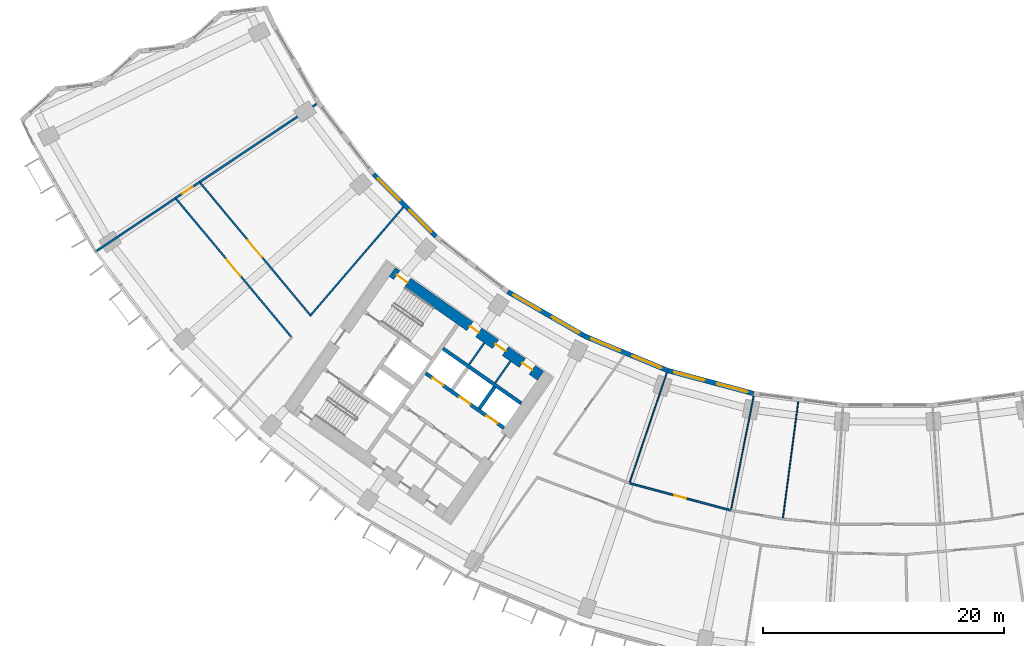
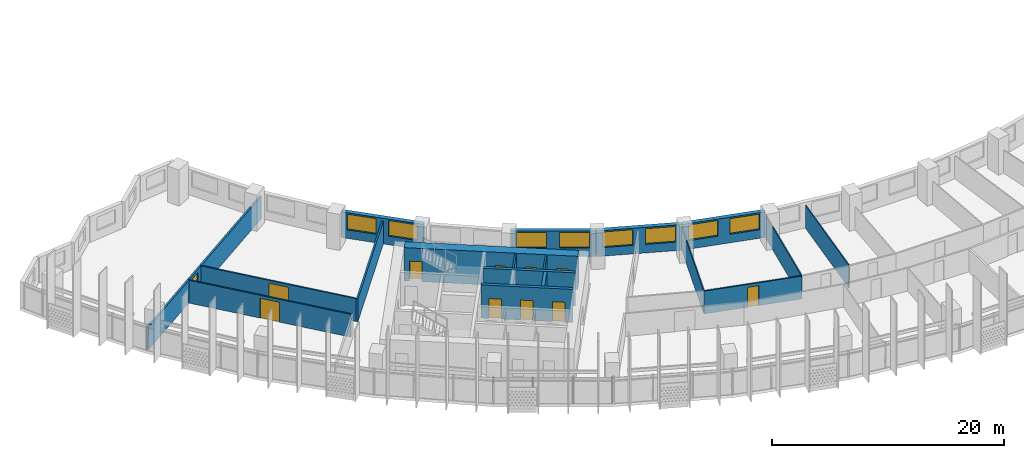
# One storey, part 4 of 30: 20 walls, 11 doors, 8 windows, 19 openings.
"""IFC4 building model written with IfcOpenShell, lengths in metres."""

import ifcopenshell
import ifcopenshell.guid

model = None  # the IFC model being written
_history = None  # IfcOwnerHistory: only IFC2X3 demands one
_inside = {}  # id of a spatial element -> (the spatial element, [elements in it])
_under = {}  # id of a project, library or spatial element -> (it, [spatial elements below it])
_declared = {}  # id of a project -> (the project, [libraries it declares])
_typed = {}  # id of a type object -> (the type object, [elements of that type])
_made_of = {}  # id of a material, layer set ... -> (it, [elements and type objects made of it])


def new_model(schema):
    """Start an empty IFC model of exactly this schema.

    Asked for "IFC4X3", IfcOpenShell would pick the latest addendum, in which some entities
    have other attributes; the version numbers below select the first issue.
    IFC2X3 requires an IfcOwnerHistory on every rooted entity: one is made here for all.
    """
    global model, _history
    if schema == "IFC4X3":
        model = ifcopenshell.file(schema_version=(4, 3, 0, 0))
    else:
        model = ifcopenshell.file(schema=schema)
    _inside.clear()
    _under.clear()
    _declared.clear()
    _typed.clear()
    _made_of.clear()
    _history = None
    if model.schema == "IFC2X3":
        org = make("IfcOrganization", Name="unknown")
        user = make(
            "IfcPersonAndOrganization",
            ThePerson=make("IfcPerson", FamilyName="unknown"),
            TheOrganization=org,
        )
        app = make(
            "IfcApplication",
            ApplicationDeveloper=org,
            Version="unknown",
            ApplicationFullName="unknown",
            ApplicationIdentifier="unknown",
        )
        _history = make(
            "IfcOwnerHistory",
            OwningUser=user,
            OwningApplication=app,
            ChangeAction="ADDED",
            CreationDate=0,
        )
    return model


def make(cls, **values):
    """One entity of the class cls with the attributes given. An attribute that is None is left unset."""
    return model.create_entity(
        cls, **{name: value for name, value in values.items() if value is not None}
    )


def rooted(cls, **values):
    """An entity with a GlobalId (a new one), such as an element, a storey or a relation."""
    return make(cls, GlobalId=ifcopenshell.guid.new(), OwnerHistory=_history, **values)


def si_unit(unit_type, name, prefix=None):
    """IfcSIUnit, for example si_unit("LENGTHUNIT", "METRE", prefix="MILLI")."""
    return make("IfcSIUnit", UnitType=unit_type, Prefix=prefix, Name=name)


def assignment(units):
    """IfcUnitAssignment: the units of a project."""
    return None if units is None else make("IfcUnitAssignment", Units=units)


def point(xyz):
    """IfcCartesianPoint."""
    return None if xyz is None else make("IfcCartesianPoint", Coordinates=xyz)


def direction(xyz):
    """IfcDirection."""
    return None if xyz is None else make("IfcDirection", DirectionRatios=xyz)


def frame(location, z_axis=None, x_axis=None):
    """IfcAxis2Placement3D, a coordinate frame: its origin and axes. An axis left out is left unset."""
    return make(
        "IfcAxis2Placement3D",
        Location=point(location),
        Axis=direction(z_axis),
        RefDirection=direction(x_axis),
    )


def frame_2d(location, x_axis=None):
    """IfcAxis2Placement2D, a coordinate frame in the plane: its origin and x axis."""
    return make(
        "IfcAxis2Placement2D", Location=point(location), RefDirection=direction(x_axis)
    )


def origin():
    """The frame at (0, 0, 0) with its axes left unset."""
    return frame((0.0, 0.0, 0.0))


def place(relative_to, where):
    """IfcLocalPlacement: puts the frame where relative to a parent placement (None: the world)."""
    return make(
        "IfcLocalPlacement", PlacementRelTo=relative_to, RelativePlacement=where
    )


def context(
    kind, dimensions, precision=None, world=None, true_north=None, identifier=None
):
    """IfcGeometricRepresentationContext, for example the 3D "Model" context."""
    return make(
        "IfcGeometricRepresentationContext",
        ContextIdentifier=identifier,
        ContextType=kind,
        CoordinateSpaceDimension=dimensions,
        Precision=precision,
        WorldCoordinateSystem=world,
        TrueNorth=true_north,
    )


def subcontext(parent, identifier, kind, view, scale=None):
    """IfcGeometricRepresentationSubContext, for example "Body" below "Model"."""
    return make(
        "IfcGeometricRepresentationSubContext",
        ContextIdentifier=identifier,
        ContextType=kind,
        ParentContext=parent,
        TargetScale=scale,
        TargetView=view,
    )


def project(units=None, contexts=None):
    """IfcProject with its units and contexts."""
    return rooted(
        "IfcProject",
        Name="project",
        RepresentationContexts=contexts,
        UnitsInContext=assignment(units),
    )


def spatial(cls, under=None, at=None, **own):
    """A site, building, storey or space (cls), placed at a placement, below another one or the project."""
    s = rooted(cls, ObjectPlacement=at, **own)
    if under is not None:
        _under.setdefault(under.id(), (under, []))[1].append(s)
    return s


def profile(cls, at=None, kind="AREA", **sizes):
    """A parametric profile (cls). Its sizes go by their IFC names, for example OverallWidth=200.0."""
    return make(cls, ProfileType=kind, Position=at, **sizes)


def rectangle(**sizes):
    """IfcRectangleProfileDef."""
    return profile("IfcRectangleProfileDef", **sizes)


def extrude(swept, where, along, depth):
    """IfcExtrudedAreaSolid: the profile swept, set in the frame where, extruded along a direction by depth."""
    return make(
        "IfcExtrudedAreaSolid",
        SweptArea=swept,
        Position=where,
        ExtrudedDirection=direction(along),
        Depth=depth,
    )


def shape(context_of_items, identifier, shape_type, items):
    """IfcShapeRepresentation: the items that make up one representation, for example the "Body"."""
    return make(
        "IfcShapeRepresentation",
        ContextOfItems=context_of_items,
        RepresentationIdentifier=identifier,
        RepresentationType=shape_type,
        Items=items,
    )


def material(Name=None, Category=None):
    """IfcMaterial."""
    return make("IfcMaterial", Name=Name, Category=Category)


def layer(
    of_material, thickness, ventilated=None, Name=None, Category=None, Priority=None
):
    """IfcMaterialLayer: one layer of a wall or slab, of a material (None: an air gap)."""
    return make(
        "IfcMaterialLayer",
        Material=of_material,
        LayerThickness=thickness,
        IsVentilated=ventilated,
        Name=Name,
        Category=Category,
        Priority=Priority,
    )


def layer_set(layers, Name=None):
    """IfcMaterialLayerSet."""
    return make("IfcMaterialLayerSet", MaterialLayers=layers, LayerSetName=Name)


def made_of(thing, what):
    """Note that an element or type object is made of a material, layer set ...; save() writes the relation."""
    if what is not None:
        _made_of.setdefault(what.id(), (what, []))[1].append(thing)
    return thing


def type_object(cls, material=None, **own):
    """A type object (cls), such as IfcWallType, which elements share."""
    return made_of(rooted(cls, **own), material)


def element(
    cls,
    number,
    at=None,
    inside=None,
    cuts=None,
    type_object=None,
    material=None,
    context=None,
    identifier="Body",
    shape_type=None,
    held_by="IfcProductDefinitionShape",
    body=None,
    shapes=None,
    **own,
):
    """One element of the class cls, such as IfcWall. Its Tag is "e" and its number.

    at: its placement. inside: the storey or other place that contains it. cuts: it is an
    opening in that element (IfcRelVoidsElement). A single representation is given by context,
    identifier, shape_type and body (its items); several are given by shapes. held_by: the class
    of the entity that holds the representations. save() writes the other relations.
    """
    e = rooted(cls, Tag="e%d" % number, ObjectPlacement=at, **own)
    if body is not None:
        shapes = [shape(context, identifier, shape_type, body)]
    if shapes is not None:
        e.Representation = make(held_by, Representations=shapes)
    if inside is not None:
        _inside.setdefault(inside.id(), (inside, []))[1].append(e)
    if cuts is not None:
        rooted(
            "IfcRelVoidsElement", RelatingBuildingElement=cuts, RelatedOpeningElement=e
        )
    if type_object is not None:
        _typed.setdefault(type_object.id(), (type_object, []))[1].append(e)
    return made_of(e, material)


def fill(opening, filler):
    """IfcRelFillsElement: the door or window that sits in an opening."""
    return rooted(
        "IfcRelFillsElement",
        RelatingOpeningElement=opening,
        RelatedBuildingElement=filler,
    )


def aggregate(whole, parts):
    """IfcRelAggregates: a whole, such as a stair, and the parts it consists of."""
    return rooted("IfcRelAggregates", RelatingObject=whole, RelatedObjects=parts)


def save(model, path):
    """Write the relations noted so far, then the file.

    IfcRelAggregates (storeys below a building ...), IfcRelContainedInSpatialStructure (elements
    in a storey), IfcRelDefinesByType, IfcRelAssociatesMaterial and IfcRelDeclares: one each for
    every whole, place, type object, material and project.
    """
    for whole, parts in _under.values():
        aggregate(whole, parts)
    for where, things in _inside.values():
        rooted(
            "IfcRelContainedInSpatialStructure",
            RelatedElements=things,
            RelatingStructure=where,
        )
    for kind, things in _typed.values():
        rooted("IfcRelDefinesByType", RelatedObjects=things, RelatingType=kind)
    for what, things in _made_of.values():
        rooted("IfcRelAssociatesMaterial", RelatedObjects=things, RelatingMaterial=what)
    for by, libraries in _declared.values():
        rooted("IfcRelDeclares", RelatingContext=by, RelatedDefinitions=libraries)
    model.write(path)


model = new_model("IFC4")

# Units and contexts
model_context = context("Model", 3, precision=1e-05, world=origin(), true_north=direction((0.0, 1.0)))
body_context = subcontext(model_context, "Body", "Model", "MODEL_VIEW")
ifc_project = project(units=[si_unit("LENGTHUNIT", "METRE"), si_unit("AREAUNIT", "SQUARE_METRE"), si_unit("VOLUMEUNIT", "CUBIC_METRE"), si_unit("PLANEANGLEUNIT", "RADIAN"), si_unit("MASSUNIT", "GRAM", prefix="KILO")], contexts=[model_context])

# Site, building, storey
site_placement = place(None, origin())
site = spatial("IfcSite", under=ifc_project, at=site_placement, CompositionType="ELEMENT")
building_placement = place(site_placement, origin())
building = spatial("IfcBuilding", under=site, at=building_placement, Name="Qamariyya Broadcast Tower", CompositionType="ELEMENT")
storey_placement = place(building_placement, frame((0.0, 0.0, 110.10009765625)))
storey = spatial("IfcBuildingStorey", under=building, at=storey_placement, Name="L24", CompositionType="ELEMENT", Elevation=110.10009765625)

# Wall, openings, doors
ifc_material_1 = material(Name="Concrete C70/85", Category="concrete")
ifc_layer_1 = layer(ifc_material_1, 0.89990234375)
ifc_layer_set_1 = layer_set([ifc_layer_1], Name="Core wall 900 mm Concrete C70/85")
wall_type_1 = type_object("IfcWallType", Name="Core wall 900 mm Concrete C70/85", PredefinedType="SHEAR", material=ifc_layer_set_1)
wall_1_placement = place(storey_placement, frame((-28.8544921875, -54.32421875, 0.0), z_axis=(0.0, 0.0, 1.0), x_axis=(-0.819145767589, 0.573585400304, 0.0)))
wall_1 = element("IfcWall", 1, at=wall_1_placement, inside=storey, type_object=wall_type_1, Name="k-W-L24-WI", PredefinedType="SHEAR", context=body_context, shape_type="SweptSolid", body=[
    extrude(rectangle(XDim=15.04541015625, YDim=0.89990234375, at=frame_2d((7.522705078125, 0.0))), origin(), (0.0, 0.0, 1.0), 3.5),
])
opening_1_placement = place(wall_1_placement, frame((0.85009765625, 0.0, 0.0)))
opening_1 = element("IfcOpeningElement", 2, at=opening_1_placement, cuts=wall_1, Name="Opening KD6-W3", PredefinedType="OPENING", context=body_context, shape_type="SweptSolid", body=[
    extrude(rectangle(XDim=1.0, YDim=2.10009765625, at=frame_2d((0.5, 1.050048828125))), frame((0.0, 0.4599609375, 0.0), z_axis=(0.0, -1.0, 0.0), x_axis=(1.0, 0.0, 0.0)), (0.0, 0.0, 1.0), 0.919921875),
])
opening_2_placement = place(wall_1_placement, frame((3.574951171875, 0.0, 0.0)))
opening_2 = element("IfcOpeningElement", 3, at=opening_2_placement, cuts=wall_1, Name="Opening KD7-W1", PredefinedType="OPENING", context=body_context, shape_type="SweptSolid", body=[
    extrude(rectangle(XDim=1.0, YDim=2.10009765625, at=frame_2d((0.5, 1.050048828125))), frame((0.0, 0.4599609375, 0.0), z_axis=(0.0, -1.0, 0.0), x_axis=(1.0, 0.0, 0.0)), (0.0, 0.0, 1.0), 0.919921875),
])
opening_3_placement = place(wall_1_placement, frame((6.27490234375, 0.0, 0.0)))
opening_3 = element("IfcOpeningElement", 4, at=opening_3_placement, cuts=wall_1, Name="Opening KD5-W1", PredefinedType="OPENING", context=body_context, shape_type="SweptSolid", body=[
    extrude(rectangle(XDim=0.89990234375, YDim=2.10009765625, at=frame_2d((0.449951171875, 1.050048828125))), frame((0.0, 0.4599609375, 0.0), z_axis=(0.0, -1.0, 0.0), x_axis=(1.0, 0.0, 0.0)), (0.0, 0.0, 1.0), 0.919921875),
])
opening_4_placement = place(wall_1_placement, frame((13.495361328125, 0.0, 0.0)))
opening_4 = element("IfcOpeningElement", 5, at=opening_4_placement, cuts=wall_1, Name="Opening KD1-W1", PredefinedType="OPENING", context=body_context, shape_type="SweptSolid", body=[
    extrude(rectangle(XDim=1.10009765625, YDim=2.10009765625, at=frame_2d((0.550048828125, 1.050048828125))), frame((0.0, 0.4599609375, 0.0), z_axis=(0.0, -1.0, 0.0), x_axis=(1.0, 0.0, 0.0)), (0.0, 0.0, 1.0), 0.919921875),
])
ifc_material_2 = material(Name="Steel fire-resisting door leaf", Category="steel")
door_type_1 = type_object("IfcDoorType", Name="Accessible toilet door KD7", OperationType="SINGLE_SWING_LEFT", PredefinedType="DOOR", material=ifc_material_2)
door_1_placement = place(opening_2_placement, origin())
door_1 = element("IfcDoor", 6, at=door_1_placement, inside=storey, type_object=door_type_1, Name="k-W-L24-WI-D9", OperationType="SINGLE_SWING_RIGHT", OverallHeight=2.10009765625, OverallWidth=1.0, PredefinedType="DOOR", context=body_context, shape_type="SweptSolid", body=[
    extrude(rectangle(XDim=1.0, YDim=2.10009765625, at=frame_2d((0.5, 1.050048828125))), frame((0.0, 0.02490234375, 0.0), z_axis=(0.0, -1.0, 0.0), x_axis=(1.0, 0.0, 0.0)), (0.0, 0.0, 1.0), 0.050048828125),
])
fill(opening_2, door_1)
door_type_2 = type_object("IfcDoorType", Name="Core room door KD6", OperationType="SINGLE_SWING_LEFT", PredefinedType="DOOR", material=ifc_material_2)
door_2_placement = place(opening_1_placement, origin())
door_2 = element("IfcDoor", 7, at=door_2_placement, inside=storey, type_object=door_type_2, Name="k-W-L24-WI-D8", OperationType="SINGLE_SWING_LEFT", OverallHeight=2.10009765625, OverallWidth=1.0, PredefinedType="DOOR", context=body_context, shape_type="SweptSolid", body=[
    extrude(rectangle(XDim=1.0, YDim=2.10009765625, at=frame_2d((0.5, 1.050048828125))), frame((0.0, 0.02490234375, 0.0), z_axis=(0.0, -1.0, 0.0), x_axis=(1.0, 0.0, 0.0)), (0.0, 0.0, 1.0), 0.050048828125),
])
fill(opening_1, door_2)
door_type_3 = type_object("IfcDoorType", Name="Stair door KD1", OperationType="SINGLE_SWING_LEFT", PredefinedType="DOOR", material=ifc_material_2)
door_3_placement = place(opening_4_placement, origin())
door_3 = element("IfcDoor", 8, at=door_3_placement, inside=storey, type_object=door_type_3, Name="k-W-L24-WI-D17", OperationType="SINGLE_SWING_RIGHT", OverallHeight=2.10009765625, OverallWidth=1.10009765625, PredefinedType="DOOR", context=body_context, shape_type="SweptSolid", body=[
    extrude(rectangle(XDim=1.10009765625, YDim=2.10009765625, at=frame_2d((0.550048828125, 1.050048828125))), frame((0.0, 0.02490234375, 0.0), z_axis=(0.0, -1.0, 0.0), x_axis=(1.0, 0.0, 0.0)), (0.0, 0.0, 1.0), 0.050048828125),
])
fill(opening_4, door_3)
door_type_4 = type_object("IfcDoorType", Name="Toilet door KD5", OperationType="SINGLE_SWING_LEFT", PredefinedType="DOOR", material=ifc_material_2)
door_4_placement = place(opening_3_placement, origin())
door_4 = element("IfcDoor", 9, at=door_4_placement, inside=storey, type_object=door_type_4, Name="k-W-L24-WI-D10", OperationType="SINGLE_SWING_LEFT", OverallHeight=2.10009765625, OverallWidth=0.89990234375, PredefinedType="DOOR", context=body_context, shape_type="SweptSolid", body=[
    extrude(rectangle(XDim=0.89990234375, YDim=2.10009765625, at=frame_2d((0.449951171875, 1.050048828125))), frame((0.0, 0.02490234375, 0.0), z_axis=(0.0, -1.0, 0.0), x_axis=(1.0, 0.0, 0.0)), (0.0, 0.0, 1.0), 0.050048828125),
])
fill(opening_3, door_4)

# Wall, opening, door
ifc_material_3 = material(Name="Gypsum board partition")
ifc_layer_2 = layer(ifc_material_3, 0.14990234375)
ifc_layer_set_2 = layer_set([ifc_layer_2], Name="Corridor partition 150 EI 60")
wall_type_2 = type_object("IfcWallType", Name="Corridor partition 150 EI 60", PredefinedType="PARTITIONING", material=ifc_layer_set_2)
wall_2_placement = place(storey_placement, frame((-49.595703125, -51.07421875, 0.0), z_axis=(0.0, 0.0, 1.0), x_axis=(-0.640459823251, 0.767991676258, 0.0)))
wall_2 = element("IfcWall", 10, at=wall_2_placement, inside=storey, type_object=wall_type_2, Name="Partition L24-004", PredefinedType="PARTITIONING", context=body_context, shape_type="SweptSolid", body=[
    extrude(rectangle(XDim=14.906982421875, YDim=0.14990234375, at=frame_2d((7.45361328125, 0.0))), origin(), (0.0, 0.0, 1.0), 2.39990234375),
])
opening_5_placement = place(wall_2_placement, frame((6.553466796875, 0.0, 0.0)))
opening_5 = element("IfcOpeningElement", 11, at=opening_5_placement, cuts=wall_2, Name="Opening L24-D17", PredefinedType="OPENING", context=body_context, shape_type="SweptSolid", body=[
    extrude(rectangle(XDim=1.800048828125, YDim=2.10009765625, at=frame_2d((0.89990234375, 1.050048828125))), frame((0.0, 0.0849609375, 0.0), z_axis=(0.0, -1.0, 0.0), x_axis=(1.0, 0.0, 0.0)), (0.0, 0.0, 1.0), 0.169921875),
])
ifc_material_4 = material(Name="Timber fire door leaf", Category="wood")
door_type_5 = type_object("IfcDoorType", Name="Double fire door 1800 x 2100 FD60", OperationType="NOTDEFINED", PredefinedType="DOOR", material=ifc_material_4)
door_5_placement = place(opening_5_placement, origin())
door_5 = element("IfcDoor", 12, at=door_5_placement, inside=storey, type_object=door_type_5, Name="Door L24-D17", OperationType="DOUBLE_DOOR_SINGLE_SWING", OverallHeight=2.10009765625, OverallWidth=1.800048828125, PredefinedType="DOOR", context=body_context, shape_type="SweptSolid", body=[
    extrude(rectangle(XDim=1.800048828125, YDim=2.10009765625, at=frame_2d((0.89990234375, 1.050048828125))), frame((0.0, 0.02490234375, 0.0), z_axis=(0.0, -1.0, 0.0), x_axis=(1.0, 0.0, 0.0)), (0.0, 0.0, 1.0), 0.050048828125),
])
fill(opening_5, door_5)

wall_3_placement = place(storey_placement, frame((-57.1474609375, -38.29248046875, 0.0), z_axis=(0.0, 0.0, 1.0), x_axis=(0.639635010917, -0.768678770885, 0.0)))
wall_3 = element("IfcWall", 13, at=wall_3_placement, inside=storey, type_object=wall_type_2, Name="Partition L24-006", PredefinedType="PARTITIONING", context=body_context, shape_type="SweptSolid", body=[
    extrude(rectangle(XDim=14.253662109375, YDim=0.14990234375, at=frame_2d((7.126953125, 0.0))), origin(), (0.0, 0.0, 1.0), 2.39990234375),
])
opening_6_placement = place(wall_3_placement, frame((6.226806640625, 0.0, 0.0)))
opening_6 = element("IfcOpeningElement", 14, at=opening_6_placement, cuts=wall_3, Name="Opening L24-D16", PredefinedType="OPENING", context=body_context, shape_type="SweptSolid", body=[
    extrude(rectangle(XDim=1.800048828125, YDim=2.10009765625, at=frame_2d((0.89990234375, 1.050048828125))), frame((0.0, 0.0849609375, 0.0), z_axis=(0.0, -1.0, 0.0), x_axis=(1.0, 0.0, 0.0)), (0.0, 0.0, 1.0), 0.169921875),
])
door_6_placement = place(opening_6_placement, origin())
door_6 = element("IfcDoor", 15, at=door_6_placement, inside=storey, type_object=door_type_5, Name="Door L24-D16", OperationType="DOUBLE_DOOR_SINGLE_SWING", OverallHeight=2.10009765625, OverallWidth=1.800048828125, PredefinedType="DOOR", context=body_context, shape_type="SweptSolid", body=[
    extrude(rectangle(XDim=1.800048828125, YDim=2.10009765625, at=frame_2d((0.89990234375, 1.050048828125))), frame((0.0, 0.02490234375, 0.0), z_axis=(0.0, -1.0, 0.0), x_axis=(1.0, 0.0, 0.0)), (0.0, 0.0, 1.0), 0.050048828125),
])
fill(opening_6, door_6)

# Wall
wall_4_placement = place(storey_placement, frame((-40.267578125, -40.310791015625, 0.0), z_axis=(0.0, 0.0, 1.0), x_axis=(-0.650981860867, -0.759093285982, 0.0)))
element("IfcWall", 16, at=wall_4_placement, inside=storey, type_object=wall_type_2, Name="Partition L24-007", PredefinedType="PARTITIONING", context=body_context, shape_type="SweptSolid", body=[
    extrude(rectangle(XDim=11.92578125, YDim=0.14990234375, at=frame_2d((5.962890625, 0.0))), origin(), (0.0, 0.0, 1.0), 2.39990234375),
])

# Wall, opening, door
wall_5_placement = place(storey_placement, frame((-21.47216796875, -63.2548828125, 0.0), z_axis=(0.0, 0.0, 1.0), x_axis=(0.965927722938, -0.258811966607, 0.0)))
wall_5 = element("IfcWall", 17, at=wall_5_placement, inside=storey, type_object=wall_type_2, Name="Partition L24-012", PredefinedType="PARTITIONING", context=body_context, shape_type="SweptSolid", body=[
    extrude(rectangle(XDim=8.73779296875, YDim=0.14990234375, at=frame_2d((4.368896484375, 0.0))), origin(), (0.0, 0.0, 1.0), 2.39990234375),
])
opening_7_placement = place(wall_5_placement, frame((3.868896484375, 0.0, 0.0)))
opening_7 = element("IfcOpeningElement", 18, at=opening_7_placement, cuts=wall_5, Name="Opening L24-D09", PredefinedType="OPENING", context=body_context, shape_type="SweptSolid", body=[
    extrude(rectangle(XDim=1.0, YDim=2.10009765625, at=frame_2d((0.5, 1.050048828125))), frame((0.0, 0.0849609375, 0.0), z_axis=(0.0, -1.0, 0.0), x_axis=(1.0, 0.0, 0.0)), (0.0, 0.0, 1.0), 0.169921875),
])
door_type_6 = type_object("IfcDoorType", Name="Fire door 1000 x 2100 FD60", OperationType="NOTDEFINED", PredefinedType="DOOR", material=ifc_material_4)
door_7_placement = place(opening_7_placement, origin())
door_7 = element("IfcDoor", 19, at=door_7_placement, inside=storey, type_object=door_type_6, Name="Door L24-D09", OperationType="SINGLE_SWING_RIGHT", OverallHeight=2.10009765625, OverallWidth=1.0, PredefinedType="DOOR", context=body_context, shape_type="SweptSolid", body=[
    extrude(rectangle(XDim=1.0, YDim=2.10009765625, at=frame_2d((0.5, 1.050048828125))), frame((0.0, 0.02490234375, 0.0), z_axis=(0.0, -1.0, 0.0), x_axis=(1.0, 0.0, 0.0)), (0.0, 0.0, 1.0), 0.050048828125),
])
fill(opening_7, door_7)

# Walls
ifc_material_5 = material(Name="Gypsum board partition on steel studs", Category="steel")
ifc_layer_3 = layer(ifc_material_5, 0.14990234375)
ifc_layer_set_3 = layer_set([ifc_layer_3], Name="Gypsum board partition 150 mm")
wall_type_3 = type_object("IfcWallType", Name="Gypsum board partition 150 mm", PredefinedType="PARTITIONING", material=ifc_layer_set_3)
for number, where, z_axis, x_axis, name in (
    (20, (-32.627197265625, -54.91748046875, 0.0), (0.0, 0.0, 1.0), (0.573507030513, 0.819200638399, 0.0), "k-W-L24-NP275"),
    (21, (-34.798095703125, -53.3974609375, 0.0), (0.0, 0.0, 1.0), (0.573633636671, 0.819111989218, 0.0), "k-W-L24-NP540"),
):
    element("IfcWall", number, at=place(storey_placement, frame(where, z_axis=z_axis, x_axis=x_axis)), inside=storey, type_object=wall_type_3, Name=name, PredefinedType="PARTITIONING", context=body_context, shape_type="SweptSolid", body=[
        extrude(rectangle(XDim=2.199951171875, YDim=0.14990234375, at=frame_2d((1.10009765625, 0.0))), origin(), (0.0, 0.0, 1.0), 3.5),
    ])

# Wall, openings, doors
ifc_material_6 = material(Name="Concrete C60/75", Category="concrete")
ifc_layer_4 = layer(ifc_material_6, 0.300048828125)
ifc_layer_set_4 = layer_set([ifc_layer_4], Name="Lift shaft wall 300 mm Concrete C60/75")
wall_type_4 = type_object("IfcWallType", Name="Lift shaft wall 300 mm Concrete C60/75", PredefinedType="SOLIDWALL", material=ifc_layer_set_4)
wall_6_placement = place(storey_placement, frame((-31.89453125, -58.66552734375, 0.0), z_axis=(0.0, 0.0, 1.0), x_axis=(-0.819166993208, 0.573555086491, 0.0)))
wall_6 = element("IfcWall", 22, at=wall_6_placement, inside=storey, type_object=wall_type_4, Name="k-W-L24-NF0", PredefinedType="SOLIDWALL", context=body_context, shape_type="SweptSolid", body=[
    extrude(rectangle(XDim=7.9501953125, YDim=0.300048828125, at=frame_2d((3.97509765625, 0.0))), origin(), (0.0, 0.0, 1.0), 3.5),
])
opening_8_placement = place(wall_6_placement, frame((0.675048828125, 0.0, 0.0)))
opening_8 = element("IfcOpeningElement", 23, at=opening_8_placement, cuts=wall_6, Name="Opening LD", PredefinedType="OPENING", context=body_context, shape_type="SweptSolid", body=[
    extrude(rectangle(XDim=1.10009765625, YDim=2.10009765625, at=frame_2d((0.550048828125, 1.050048828125))), frame((0.0, 0.159912109375, 0.0), z_axis=(0.0, -1.0, 0.0), x_axis=(1.0, 0.0, 0.0)), (0.0, 0.0, 1.0), 0.320068359375),
])
opening_9_placement = place(wall_6_placement, frame((3.425048828125, 0.0, 0.0)))
opening_9 = element("IfcOpeningElement", 24, at=opening_9_placement, cuts=wall_6, Name="Opening LD", PredefinedType="OPENING", context=body_context, shape_type="SweptSolid", body=[
    extrude(rectangle(XDim=1.10009765625, YDim=2.10009765625, at=frame_2d((0.550048828125, 1.050048828125))), frame((0.0, 0.159912109375, 0.0), z_axis=(0.0, -1.0, 0.0), x_axis=(1.0, 0.0, 0.0)), (0.0, 0.0, 1.0), 0.320068359375),
])
opening_10_placement = place(wall_6_placement, frame((6.175048828125, 0.0, 0.0)))
opening_10 = element("IfcOpeningElement", 25, at=opening_10_placement, cuts=wall_6, Name="Opening LD", PredefinedType="OPENING", context=body_context, shape_type="SweptSolid", body=[
    extrude(rectangle(XDim=1.10009765625, YDim=2.10009765625, at=frame_2d((0.550048828125, 1.050048828125))), frame((0.0, 0.159912109375, 0.0), z_axis=(0.0, -1.0, 0.0), x_axis=(1.0, 0.0, 0.0)), (0.0, 0.0, 1.0), 0.320068359375),
])
door_type_7 = type_object("IfcDoorType", Name="Lift landing door LD", OperationType="DOUBLE_DOOR_SLIDING", PredefinedType="DOOR", material=ifc_material_2)
door_8_placement = place(opening_8_placement, origin())
door_8 = element("IfcDoor", 26, at=door_8_placement, inside=storey, type_object=door_type_7, Name="k-W-L24-NF0-D2", OperationType="DOUBLE_DOOR_SLIDING", OverallHeight=2.10009765625, OverallWidth=1.10009765625, PredefinedType="DOOR", context=body_context, shape_type="SweptSolid", body=[
    extrude(rectangle(XDim=1.10009765625, YDim=2.10009765625, at=frame_2d((0.550048828125, 1.050048828125))), frame((0.0, 0.02490234375, 0.0), z_axis=(0.0, -1.0, 0.0), x_axis=(1.0, 0.0, 0.0)), (0.0, 0.0, 1.0), 0.050048828125),
])
fill(opening_8, door_8)
door_9_placement = place(opening_9_placement, origin())
door_9 = element("IfcDoor", 27, at=door_9_placement, inside=storey, type_object=door_type_7, Name="k-W-L24-NF0-D3", OperationType="DOUBLE_DOOR_SLIDING", OverallHeight=2.10009765625, OverallWidth=1.10009765625, PredefinedType="DOOR", context=body_context, shape_type="SweptSolid", body=[
    extrude(rectangle(XDim=1.10009765625, YDim=2.10009765625, at=frame_2d((0.550048828125, 1.050048828125))), frame((0.0, 0.02490234375, 0.0), z_axis=(0.0, -1.0, 0.0), x_axis=(1.0, 0.0, 0.0)), (0.0, 0.0, 1.0), 0.050048828125),
])
fill(opening_9, door_9)
door_10_placement = place(opening_10_placement, origin())
door_10 = element("IfcDoor", 28, at=door_10_placement, inside=storey, type_object=door_type_7, Name="k-W-L24-NF0-D4", OperationType="DOUBLE_DOOR_SLIDING", OverallHeight=2.10009765625, OverallWidth=1.10009765625, PredefinedType="DOOR", context=body_context, shape_type="SweptSolid", body=[
    extrude(rectangle(XDim=1.10009765625, YDim=2.10009765625, at=frame_2d((0.550048828125, 1.050048828125))), frame((0.0, 0.02490234375, 0.0), z_axis=(0.0, -1.0, 0.0), x_axis=(1.0, 0.0, 0.0)), (0.0, 0.0, 1.0), 0.050048828125),
])
fill(opening_10, door_10)

# Walls
wall_7_placement = place(storey_placement, frame((-30.460693359375, -56.61767578125, 0.0), z_axis=(0.0, 0.0, 1.0), x_axis=(-0.819142461705, 0.573590121456, 0.0)))
element("IfcWall", 29, at=wall_7_placement, inside=storey, type_object=wall_type_4, Name="k-W-L24-NB0", PredefinedType="SOLIDWALL", context=body_context, shape_type="SweptSolid", body=[
    extrude(rectangle(XDim=7.949951171875, YDim=0.300048828125, at=frame_2d((3.97509765625, 0.0))), origin(), (0.0, 0.0, 1.0), 3.5),
])
wall_8_placement = place(storey_placement, frame((-33.9384765625, -57.051513671875, 0.0), z_axis=(0.0, 0.0, 1.0), x_axis=(0.573581496053, 0.819148501424, 0.0)))
element("IfcWall", 30, at=wall_8_placement, inside=storey, type_object=wall_type_4, Name="k-W-L24-ND0", PredefinedType="SOLIDWALL", context=body_context, shape_type="SweptSolid", body=[
    extrude(rectangle(XDim=2.2001953125, YDim=0.300048828125, at=frame_2d((1.10009765625, 0.0))), origin(), (0.0, 0.0, 1.0), 3.5),
])
ifc_layer_5 = layer(ifc_material_3, 0.10009765625)
ifc_layer_set_5 = layer_set([ifc_layer_5], Name="Partition 100")
wall_type_5 = type_object("IfcWallType", Name="Partition 100", PredefinedType="PARTITIONING", material=ifc_layer_set_5)
for number, where, z_axis, x_axis, name in (
    (31, (-18.354248046875, -54.06982421875, 0.0), (0.0, 0.0, 1.0), (-0.321435668314, -0.946931418391, 0.0), "Partition L24-014"),
    (32, (-11.1396484375, -56.0029296875, 0.0), (0.0, 0.0, 1.0), (-0.195086769421, -0.980785987052, 0.0), "Partition L24-017"),
):
    element("IfcWall", number, at=place(storey_placement, frame(where, z_axis=z_axis, x_axis=x_axis)), inside=storey, type_object=wall_type_5, Name=name, PredefinedType="PARTITIONING", context=body_context, shape_type="SweptSolid", body=[
        extrude(rectangle(XDim=9.624755859375, YDim=0.10009765625, at=frame_2d((4.8125, 0.0))), origin(), (0.0, 0.0, 1.0), 2.39990234375),
    ])
wall_9_placement = place(storey_placement, frame((-7.437255859375, -56.4912109375, 0.0), z_axis=(0.0, 0.0, 1.0), x_axis=(-0.13053421433, -0.99144380521, 0.0)))
element("IfcWall", 33, at=wall_9_placement, inside=storey, type_object=wall_type_5, Name="Partition L24-020", PredefinedType="PARTITIONING", context=body_context, shape_type="SweptSolid", body=[
    extrude(rectangle(XDim=9.746337890625, YDim=0.10009765625, at=frame_2d((4.873046875, 0.0))), origin(), (0.0, 0.0, 1.0), 2.39990234375),
])
ifc_layer_6 = layer(ifc_material_3, 0.179931640625)
ifc_layer_set_6 = layer_set([ifc_layer_6], Name="Studio acoustic partition 180 EI 60")
wall_type_6 = type_object("IfcWallType", Name="Studio acoustic partition 180 EI 60", PredefinedType="PARTITIONING", material=ifc_layer_set_6)
wall_10_placement = place(storey_placement, frame((-65.769287109375, -43.945556640625, 0.0), z_axis=(0.0, 0.0, 1.0), x_axis=(0.831474555321, 0.555562835198, 0.0)))
element("IfcWall", 34, at=wall_10_placement, inside=storey, type_object=wall_type_6, Name="Partition L24-001", PredefinedType="PARTITIONING", context=body_context, shape_type="SweptSolid", body=[
    extrude(rectangle(XDim=7.89990234375, YDim=0.179931640625, at=frame_2d((3.949951171875, 0.0))), origin(), (0.0, 0.0, 1.0), 2.39990234375),
])

# Wall, opening, door
wall_11_placement = place(storey_placement, frame((-59.20068359375, -39.556640625, 0.0), z_axis=(0.0, 0.0, 1.0), x_axis=(0.831455148387, 0.555591879189, 0.0)))
wall_11 = element("IfcWall", 35, at=wall_11_placement, inside=storey, type_object=wall_type_6, Name="Partition L24-002", PredefinedType="PARTITIONING", context=body_context, shape_type="SweptSolid", body=[
    extrude(rectangle(XDim=2.400146484375, YDim=0.179931640625, at=frame_2d((1.2001953125, 0.0))), origin(), (0.0, 0.0, 1.0), 2.39990234375),
])
opening_11_placement = place(wall_11_placement, frame((0.699951171875, 0.0, 0.0)))
opening_11 = element("IfcOpeningElement", 36, at=opening_11_placement, cuts=wall_11, Name="Opening L24-D18", PredefinedType="OPENING", context=body_context, shape_type="SweptSolid", body=[
    extrude(rectangle(XDim=1.0, YDim=2.10009765625, at=frame_2d((0.5, 1.050048828125))), frame((0.0, 0.099853515625, 0.0), z_axis=(0.0, -1.0, 0.0), x_axis=(1.0, 0.0, 0.0)), (0.0, 0.0, 1.0), 0.199951171875),
])
door_11_placement = place(opening_11_placement, origin())
door_11 = element("IfcDoor", 37, at=door_11_placement, inside=storey, type_object=door_type_6, Name="Door L24-D18", OperationType="SINGLE_SWING_RIGHT", OverallHeight=2.10009765625, OverallWidth=1.0, PredefinedType="DOOR", context=body_context, shape_type="SweptSolid", body=[
    extrude(rectangle(XDim=1.0, YDim=2.10009765625, at=frame_2d((0.5, 1.050048828125))), frame((0.0, 0.02490234375, 0.0), z_axis=(0.0, -1.0, 0.0), x_axis=(1.0, 0.0, 0.0)), (0.0, 0.0, 1.0), 0.050048828125),
])
fill(opening_11, door_11)

# Wall
wall_12_placement = place(storey_placement, frame((-57.205078125, -38.22314453125, 0.0), z_axis=(0.0, 0.0, 1.0), x_axis=(0.831478424206, 0.555557044848, 0.0)))
element("IfcWall", 38, at=wall_12_placement, inside=storey, type_object=wall_type_6, Name="Partition L24-003", PredefinedType="PARTITIONING", context=body_context, shape_type="SweptSolid", body=[
    extrude(rectangle(XDim=11.699951171875, YDim=0.179931640625, at=frame_2d((5.85009765625, 0.0))), origin(), (0.0, 0.0, 1.0), 2.39990234375),
])

# Wall, openings, windows
ifc_material_7 = material(Name="Terracotta", Category="masonry")
ifc_layer_7 = layer(ifc_material_7, 0.39990234375)
ifc_layer_set_7 = layer_set([ifc_layer_7], Name="Terracotta clad wall 400")
wall_type_7 = type_object("IfcWallType", Name="Terracotta clad wall 400", PredefinedType="SOLIDWALL", material=ifc_layer_set_7)
wall_13_placement = place(storey_placement, frame((-37.552978515625, -42.744140625, 0.0), z_axis=(0.0, 0.0, 1.0), x_axis=(-0.707106781187, 0.707106781187, 0.0)))
wall_13 = element("IfcWall", 39, at=wall_13_placement, inside=storey, type_object=wall_type_7, Name="e-wl-L24-in30", PredefinedType="SOLIDWALL", context=body_context, shape_type="SweptSolid", body=[
    extrude(rectangle(XDim=7.34130859375, YDim=0.39990234375, at=frame_2d((3.670654296875, 0.0))), origin(), (0.0, 0.0, 1.0), 2.699951171875),
])
opening_12_placement = place(wall_13_placement, frame((4.224853515625, 0.0, 0.89990234375)))
opening_12 = element("IfcOpeningElement", 40, at=opening_12_placement, cuts=wall_13, Name="Opening W1", PredefinedType="OPENING", context=body_context, shape_type="SweptSolid", body=[
    extrude(rectangle(XDim=2.60009765625, YDim=1.64990234375, at=frame_2d((1.300048828125, 0.824951171875))), frame((0.0, 0.2099609375, 0.0), z_axis=(0.0, -1.0, 0.0), x_axis=(1.0, 0.0, 0.0)), (0.0, 0.0, 1.0), 0.419921875),
])
opening_13_placement = place(wall_13_placement, frame((0.5166015625, 0.0, 0.89990234375)))
opening_13 = element("IfcOpeningElement", 41, at=opening_13_placement, cuts=wall_13, Name="Opening W1", PredefinedType="OPENING", context=body_context, shape_type="SweptSolid", body=[
    extrude(rectangle(XDim=2.60009765625, YDim=1.64990234375, at=frame_2d((1.300048828125, 0.824951171875))), frame((0.0, 0.2099609375, 0.0), z_axis=(0.0, -1.0, 0.0), x_axis=(1.0, 0.0, 0.0)), (0.0, 0.0, 1.0), 0.419921875),
])
ifc_material_8 = material(Name="Clear low-e double glazed unit in aluminium frame", Category="aluminium")
window_type = type_object("IfcWindowType", Name="Ribbon window 2600 x 1650", PartitioningType="SINGLE_PANEL", PredefinedType="WINDOW", material=ifc_material_8)
window_1_placement = place(opening_12_placement, origin())
window_1 = element("IfcWindow", 42, at=window_1_placement, inside=storey, type_object=window_type, Name="e-w-L24-in03-0", OverallHeight=1.64990234375, OverallWidth=2.60009765625, PartitioningType="SINGLE_PANEL", PredefinedType="WINDOW", context=body_context, shape_type="SweptSolid", body=[
    extrude(rectangle(XDim=2.60009765625, YDim=1.64990234375, at=frame_2d((1.300048828125, 0.824951171875))), frame((0.0, 0.030029296875, 0.0), z_axis=(0.0, -1.0, 0.0), x_axis=(1.0, 0.0, 0.0)), (0.0, 0.0, 1.0), 0.06005859375),
])
fill(opening_12, window_1)
window_2_placement = place(opening_13_placement, origin())
window_2 = element("IfcWindow", 43, at=window_2_placement, inside=storey, type_object=window_type, Name="e-w-L24-in03-1", OverallHeight=1.64990234375, OverallWidth=2.60009765625, PartitioningType="SINGLE_PANEL", PredefinedType="WINDOW", context=body_context, shape_type="SweptSolid", body=[
    extrude(rectangle(XDim=2.60009765625, YDim=1.64990234375, at=frame_2d((1.300048828125, 0.824951171875))), frame((0.0, 0.030029296875, 0.0), z_axis=(0.0, -1.0, 0.0), x_axis=(1.0, 0.0, 0.0)), (0.0, 0.0, 1.0), 0.06005859375),
])
fill(opening_13, window_2)

wall_14_placement = place(storey_placement, frame((-25.21044921875, -51.007080078125, 0.0), z_axis=(0.0, 0.0, 1.0), x_axis=(-0.866030525931, 0.499991128077, 0.0)))
wall_14 = element("IfcWall", 44, at=wall_14_placement, inside=storey, type_object=wall_type_7, Name="e-wl-L24-in50", PredefinedType="SOLIDWALL", context=body_context, shape_type="SweptSolid", body=[
    extrude(rectangle(XDim=7.341552734375, YDim=0.39990234375, at=frame_2d((3.6708984375, 0.0))), origin(), (0.0, 0.0, 1.0), 2.699951171875),
])
opening_14_placement = place(wall_14_placement, frame((4.224853515625, 0.0, 0.89990234375)))
opening_14 = element("IfcOpeningElement", 45, at=opening_14_placement, cuts=wall_14, Name="Opening W1", PredefinedType="OPENING", context=body_context, shape_type="SweptSolid", body=[
    extrude(rectangle(XDim=2.60009765625, YDim=1.64990234375, at=frame_2d((1.300048828125, 0.824951171875))), frame((0.0, 0.2099609375, 0.0), z_axis=(0.0, -1.0, 0.0), x_axis=(1.0, 0.0, 0.0)), (0.0, 0.0, 1.0), 0.419921875),
])
opening_15_placement = place(wall_14_placement, frame((0.5166015625, 0.0, 0.89990234375)))
opening_15 = element("IfcOpeningElement", 46, at=opening_15_placement, cuts=wall_14, Name="Opening W1", PredefinedType="OPENING", context=body_context, shape_type="SweptSolid", body=[
    extrude(rectangle(XDim=2.60009765625, YDim=1.64990234375, at=frame_2d((1.300048828125, 0.824951171875))), frame((0.0, 0.2099609375, 0.0), z_axis=(0.0, -1.0, 0.0), x_axis=(1.0, 0.0, 0.0)), (0.0, 0.0, 1.0), 0.419921875),
])
window_3_placement = place(opening_14_placement, origin())
window_3 = element("IfcWindow", 47, at=window_3_placement, inside=storey, type_object=window_type, Name="e-w-L24-in05-0", OverallHeight=1.64990234375, OverallWidth=2.60009765625, PartitioningType="SINGLE_PANEL", PredefinedType="WINDOW", context=body_context, shape_type="SweptSolid", body=[
    extrude(rectangle(XDim=2.60009765625, YDim=1.64990234375, at=frame_2d((1.300048828125, 0.824951171875))), frame((0.0, 0.030029296875, 0.0), z_axis=(0.0, -1.0, 0.0), x_axis=(1.0, 0.0, 0.0)), (0.0, 0.0, 1.0), 0.06005859375),
])
fill(opening_14, window_3)
window_4_placement = place(opening_15_placement, origin())
window_4 = element("IfcWindow", 48, at=window_4_placement, inside=storey, type_object=window_type, Name="e-w-L24-in05-1", OverallHeight=1.64990234375, OverallWidth=2.60009765625, PartitioningType="SINGLE_PANEL", PredefinedType="WINDOW", context=body_context, shape_type="SweptSolid", body=[
    extrude(rectangle(XDim=2.60009765625, YDim=1.64990234375, at=frame_2d((1.300048828125, 0.824951171875))), frame((0.0, 0.030029296875, 0.0), z_axis=(0.0, -1.0, 0.0), x_axis=(1.0, 0.0, 0.0)), (0.0, 0.0, 1.0), 0.06005859375),
])
fill(opening_15, window_4)

wall_15_placement = place(storey_placement, frame((-18.266845703125, -53.890380859375, 0.0), z_axis=(0.0, 0.0, 1.0), x_axis=(-0.923879826967, 0.382682721486, 0.0)))
wall_15 = element("IfcWall", 49, at=wall_15_placement, inside=storey, type_object=wall_type_7, Name="e-wl-L24-in60", PredefinedType="SOLIDWALL", context=body_context, shape_type="SweptSolid", body=[
    extrude(rectangle(XDim=7.492919921875, YDim=0.39990234375, at=frame_2d((3.74658203125, 0.0))), origin(), (0.0, 0.0, 1.0), 2.699951171875),
])
opening_16_placement = place(wall_15_placement, frame((4.300537109375, 0.0, 0.89990234375)))
opening_16 = element("IfcOpeningElement", 50, at=opening_16_placement, cuts=wall_15, Name="Opening W1", PredefinedType="OPENING", context=body_context, shape_type="SweptSolid", body=[
    extrude(rectangle(XDim=2.60009765625, YDim=1.64990234375, at=frame_2d((1.300048828125, 0.824951171875))), frame((0.0, 0.2099609375, 0.0), z_axis=(0.0, -1.0, 0.0), x_axis=(1.0, 0.0, 0.0)), (0.0, 0.0, 1.0), 0.419921875),
])
opening_17_placement = place(wall_15_placement, frame((0.59228515625, 0.0, 0.89990234375)))
opening_17 = element("IfcOpeningElement", 51, at=opening_17_placement, cuts=wall_15, Name="Opening W1", PredefinedType="OPENING", context=body_context, shape_type="SweptSolid", body=[
    extrude(rectangle(XDim=2.60009765625, YDim=1.64990234375, at=frame_2d((1.300048828125, 0.824951171875))), frame((0.0, 0.2099609375, 0.0), z_axis=(0.0, -1.0, 0.0), x_axis=(1.0, 0.0, 0.0)), (0.0, 0.0, 1.0), 0.419921875),
])
window_5_placement = place(opening_16_placement, origin())
window_5 = element("IfcWindow", 52, at=window_5_placement, inside=storey, type_object=window_type, Name="e-w-L24-in06-0", OverallHeight=1.64990234375, OverallWidth=2.60009765625, PartitioningType="SINGLE_PANEL", PredefinedType="WINDOW", context=body_context, shape_type="SweptSolid", body=[
    extrude(rectangle(XDim=2.60009765625, YDim=1.64990234375, at=frame_2d((1.300048828125, 0.824951171875))), frame((0.0, 0.030029296875, 0.0), z_axis=(0.0, -1.0, 0.0), x_axis=(1.0, 0.0, 0.0)), (0.0, 0.0, 1.0), 0.06005859375),
])
fill(opening_16, window_5)
window_6_placement = place(opening_17_placement, origin())
window_6 = element("IfcWindow", 53, at=window_6_placement, inside=storey, type_object=window_type, Name="e-w-L24-in06-1", OverallHeight=1.64990234375, OverallWidth=2.60009765625, PartitioningType="SINGLE_PANEL", PredefinedType="WINDOW", context=body_context, shape_type="SweptSolid", body=[
    extrude(rectangle(XDim=2.60009765625, YDim=1.64990234375, at=frame_2d((1.300048828125, 0.824951171875))), frame((0.0, 0.030029296875, 0.0), z_axis=(0.0, -1.0, 0.0), x_axis=(1.0, 0.0, 0.0)), (0.0, 0.0, 1.0), 0.06005859375),
])
fill(opening_17, window_6)

wall_16_placement = place(storey_placement, frame((-11.149658203125, -55.7939453125, 0.0), z_axis=(0.0, 0.0, 1.0), x_axis=(-0.965924597867, 0.258823629594, 0.0)))
wall_16 = element("IfcWall", 54, at=wall_16_placement, inside=storey, type_object=wall_type_7, Name="e-wl-L24-in70", PredefinedType="SOLIDWALL", context=body_context, shape_type="SweptSolid", body=[
    extrude(rectangle(XDim=7.341552734375, YDim=0.39990234375, at=frame_2d((3.6708984375, 0.0))), origin(), (0.0, 0.0, 1.0), 2.699951171875),
])
opening_18_placement = place(wall_16_placement, frame((4.224853515625, 0.0, 0.89990234375)))
opening_18 = element("IfcOpeningElement", 55, at=opening_18_placement, cuts=wall_16, Name="Opening W1", PredefinedType="OPENING", context=body_context, shape_type="SweptSolid", body=[
    extrude(rectangle(XDim=2.60009765625, YDim=1.64990234375, at=frame_2d((1.300048828125, 0.824951171875))), frame((0.0, 0.2099609375, 0.0), z_axis=(0.0, -1.0, 0.0), x_axis=(1.0, 0.0, 0.0)), (0.0, 0.0, 1.0), 0.419921875),
])
opening_19_placement = place(wall_16_placement, frame((0.5166015625, 0.0, 0.89990234375)))
opening_19 = element("IfcOpeningElement", 56, at=opening_19_placement, cuts=wall_16, Name="Opening W1", PredefinedType="OPENING", context=body_context, shape_type="SweptSolid", body=[
    extrude(rectangle(XDim=2.60009765625, YDim=1.64990234375, at=frame_2d((1.300048828125, 0.824951171875))), frame((0.0, 0.2099609375, 0.0), z_axis=(0.0, -1.0, 0.0), x_axis=(1.0, 0.0, 0.0)), (0.0, 0.0, 1.0), 0.419921875),
])
window_7_placement = place(opening_18_placement, origin())
window_7 = element("IfcWindow", 57, at=window_7_placement, inside=storey, type_object=window_type, Name="e-w-L24-in07-0", OverallHeight=1.64990234375, OverallWidth=2.60009765625, PartitioningType="SINGLE_PANEL", PredefinedType="WINDOW", context=body_context, shape_type="SweptSolid", body=[
    extrude(rectangle(XDim=2.60009765625, YDim=1.64990234375, at=frame_2d((1.300048828125, 0.824951171875))), frame((0.0, 0.030029296875, 0.0), z_axis=(0.0, -1.0, 0.0), x_axis=(1.0, 0.0, 0.0)), (0.0, 0.0, 1.0), 0.06005859375),
])
fill(opening_18, window_7)
window_8_placement = place(opening_19_placement, origin())
window_8 = element("IfcWindow", 58, at=window_8_placement, inside=storey, type_object=window_type, Name="e-w-L24-in07-1", OverallHeight=1.64990234375, OverallWidth=2.60009765625, PartitioningType="SINGLE_PANEL", PredefinedType="WINDOW", context=body_context, shape_type="SweptSolid", body=[
    extrude(rectangle(XDim=2.60009765625, YDim=1.64990234375, at=frame_2d((1.300048828125, 0.824951171875))), frame((0.0, 0.030029296875, 0.0), z_axis=(0.0, -1.0, 0.0), x_axis=(1.0, 0.0, 0.0)), (0.0, 0.0, 1.0), 0.06005859375),
])
fill(opening_19, window_8)

save(model, "model.ifc")
